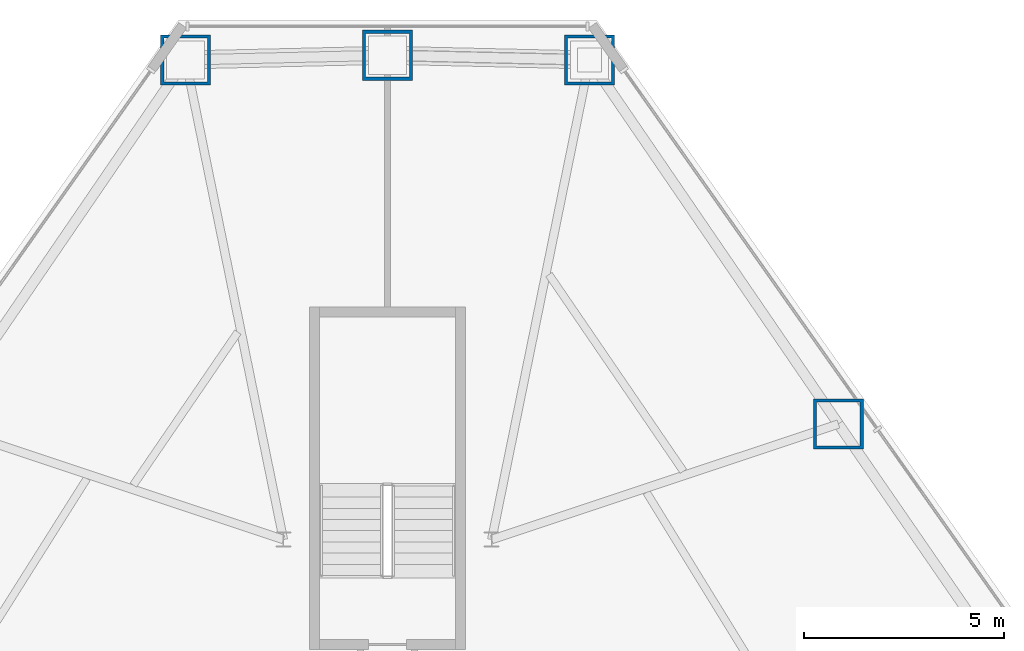
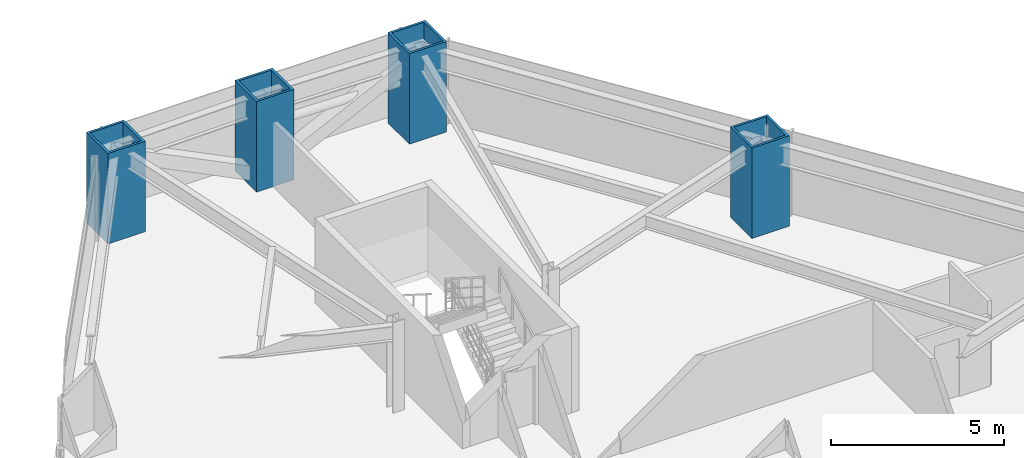
# One storey, part 3 of 12: 4 columns.
"""IFC4 building model written with IfcOpenShell, lengths in metres."""

import ifcopenshell
import ifcopenshell.guid

model = None  # the IFC model being written
_history = None  # IfcOwnerHistory: only IFC2X3 demands one
_inside = {}  # id of a spatial element -> (the spatial element, [elements in it])
_under = {}  # id of a project, library or spatial element -> (it, [spatial elements below it])
_declared = {}  # id of a project -> (the project, [libraries it declares])
_typed = {}  # id of a type object -> (the type object, [elements of that type])
_made_of = {}  # id of a material, layer set ... -> (it, [elements and type objects made of it])


def new_model(schema):
    """Start an empty IFC model of exactly this schema.

    Asked for "IFC4X3", IfcOpenShell would pick the latest addendum, in which some entities
    have other attributes; the version numbers below select the first issue.
    IFC2X3 requires an IfcOwnerHistory on every rooted entity: one is made here for all.
    """
    global model, _history
    if schema == "IFC4X3":
        model = ifcopenshell.file(schema_version=(4, 3, 0, 0))
    else:
        model = ifcopenshell.file(schema=schema)
    _inside.clear()
    _under.clear()
    _declared.clear()
    _typed.clear()
    _made_of.clear()
    _history = None
    if model.schema == "IFC2X3":
        org = make("IfcOrganization", Name="unknown")
        user = make(
            "IfcPersonAndOrganization",
            ThePerson=make("IfcPerson", FamilyName="unknown"),
            TheOrganization=org,
        )
        app = make(
            "IfcApplication",
            ApplicationDeveloper=org,
            Version="unknown",
            ApplicationFullName="unknown",
            ApplicationIdentifier="unknown",
        )
        _history = make(
            "IfcOwnerHistory",
            OwningUser=user,
            OwningApplication=app,
            ChangeAction="ADDED",
            CreationDate=0,
        )
    return model


def make(cls, **values):
    """One entity of the class cls with the attributes given. An attribute that is None is left unset."""
    return model.create_entity(
        cls, **{name: value for name, value in values.items() if value is not None}
    )


def rooted(cls, **values):
    """An entity with a GlobalId (a new one), such as an element, a storey or a relation."""
    return make(cls, GlobalId=ifcopenshell.guid.new(), OwnerHistory=_history, **values)


def si_unit(unit_type, name, prefix=None):
    """IfcSIUnit, for example si_unit("LENGTHUNIT", "METRE", prefix="MILLI")."""
    return make("IfcSIUnit", UnitType=unit_type, Prefix=prefix, Name=name)


def assignment(units):
    """IfcUnitAssignment: the units of a project."""
    return None if units is None else make("IfcUnitAssignment", Units=units)


def point(xyz):
    """IfcCartesianPoint."""
    return None if xyz is None else make("IfcCartesianPoint", Coordinates=xyz)


def direction(xyz):
    """IfcDirection."""
    return None if xyz is None else make("IfcDirection", DirectionRatios=xyz)


def frame(location, z_axis=None, x_axis=None):
    """IfcAxis2Placement3D, a coordinate frame: its origin and axes. An axis left out is left unset."""
    return make(
        "IfcAxis2Placement3D",
        Location=point(location),
        Axis=direction(z_axis),
        RefDirection=direction(x_axis),
    )


def frame_2d(location, x_axis=None):
    """IfcAxis2Placement2D, a coordinate frame in the plane: its origin and x axis."""
    return make(
        "IfcAxis2Placement2D", Location=point(location), RefDirection=direction(x_axis)
    )


def origin():
    """The frame at (0, 0, 0) with its axes left unset."""
    return frame((0.0, 0.0, 0.0))


def origin_2d():
    """The frame at (0, 0) in the plane with its x axis left unset."""
    return frame_2d((0.0, 0.0))


def place(relative_to, where):
    """IfcLocalPlacement: puts the frame where relative to a parent placement (None: the world)."""
    return make(
        "IfcLocalPlacement", PlacementRelTo=relative_to, RelativePlacement=where
    )


def context(
    kind, dimensions, precision=None, world=None, true_north=None, identifier=None
):
    """IfcGeometricRepresentationContext, for example the 3D "Model" context."""
    return make(
        "IfcGeometricRepresentationContext",
        ContextIdentifier=identifier,
        ContextType=kind,
        CoordinateSpaceDimension=dimensions,
        Precision=precision,
        WorldCoordinateSystem=world,
        TrueNorth=true_north,
    )


def subcontext(parent, identifier, kind, view, scale=None):
    """IfcGeometricRepresentationSubContext, for example "Body" below "Model"."""
    return make(
        "IfcGeometricRepresentationSubContext",
        ContextIdentifier=identifier,
        ContextType=kind,
        ParentContext=parent,
        TargetScale=scale,
        TargetView=view,
    )


def project(units=None, contexts=None):
    """IfcProject with its units and contexts."""
    return rooted(
        "IfcProject",
        Name="project",
        RepresentationContexts=contexts,
        UnitsInContext=assignment(units),
    )


def spatial(cls, under=None, at=None, **own):
    """A site, building, storey or space (cls), placed at a placement, below another one or the project."""
    s = rooted(cls, ObjectPlacement=at, **own)
    if under is not None:
        _under.setdefault(under.id(), (under, []))[1].append(s)
    return s


def profile(cls, at=None, kind="AREA", **sizes):
    """A parametric profile (cls). Its sizes go by their IFC names, for example OverallWidth=200.0."""
    return make(cls, ProfileType=kind, Position=at, **sizes)


def hollow_rectangle(**sizes):
    """IfcRectangleHollowProfileDef."""
    return profile("IfcRectangleHollowProfileDef", **sizes)


def extrude(swept, where, along, depth):
    """IfcExtrudedAreaSolid: the profile swept, set in the frame where, extruded along a direction by depth."""
    return make(
        "IfcExtrudedAreaSolid",
        SweptArea=swept,
        Position=where,
        ExtrudedDirection=direction(along),
        Depth=depth,
    )


def shape(context_of_items, identifier, shape_type, items):
    """IfcShapeRepresentation: the items that make up one representation, for example the "Body"."""
    return make(
        "IfcShapeRepresentation",
        ContextOfItems=context_of_items,
        RepresentationIdentifier=identifier,
        RepresentationType=shape_type,
        Items=items,
    )


def material(Name=None, Category=None):
    """IfcMaterial."""
    return make("IfcMaterial", Name=Name, Category=Category)


def material_profile(
    of_material, cross_section, Name=None, Category=None, Priority=None
):
    """IfcMaterialProfile: a cross section and its material."""
    return make(
        "IfcMaterialProfile",
        Name=Name,
        Material=of_material,
        Profile=cross_section,
        Priority=Priority,
        Category=Category,
    )


def profile_set(profiles, Name=None, composite=None):
    """IfcMaterialProfileSet."""
    return make(
        "IfcMaterialProfileSet",
        Name=Name,
        MaterialProfiles=profiles,
        CompositeProfile=composite,
    )


def made_of(thing, what):
    """Note that an element or type object is made of a material, layer set ...; save() writes the relation."""
    if what is not None:
        _made_of.setdefault(what.id(), (what, []))[1].append(thing)
    return thing


def type_object(cls, material=None, **own):
    """A type object (cls), such as IfcWallType, which elements share."""
    return made_of(rooted(cls, **own), material)


def element(
    cls,
    number,
    at=None,
    inside=None,
    cuts=None,
    type_object=None,
    material=None,
    context=None,
    identifier="Body",
    shape_type=None,
    held_by="IfcProductDefinitionShape",
    body=None,
    shapes=None,
    **own,
):
    """One element of the class cls, such as IfcWall. Its Tag is "e" and its number.

    at: its placement. inside: the storey or other place that contains it. cuts: it is an
    opening in that element (IfcRelVoidsElement). A single representation is given by context,
    identifier, shape_type and body (its items); several are given by shapes. held_by: the class
    of the entity that holds the representations. save() writes the other relations.
    """
    e = rooted(cls, Tag="e%d" % number, ObjectPlacement=at, **own)
    if body is not None:
        shapes = [shape(context, identifier, shape_type, body)]
    if shapes is not None:
        e.Representation = make(held_by, Representations=shapes)
    if inside is not None:
        _inside.setdefault(inside.id(), (inside, []))[1].append(e)
    if cuts is not None:
        rooted(
            "IfcRelVoidsElement", RelatingBuildingElement=cuts, RelatedOpeningElement=e
        )
    if type_object is not None:
        _typed.setdefault(type_object.id(), (type_object, []))[1].append(e)
    return made_of(e, material)


def aggregate(whole, parts):
    """IfcRelAggregates: a whole, such as a stair, and the parts it consists of."""
    return rooted("IfcRelAggregates", RelatingObject=whole, RelatedObjects=parts)


def save(model, path):
    """Write the relations noted so far, then the file.

    IfcRelAggregates (storeys below a building ...), IfcRelContainedInSpatialStructure (elements
    in a storey), IfcRelDefinesByType, IfcRelAssociatesMaterial and IfcRelDeclares: one each for
    every whole, place, type object, material and project.
    """
    for whole, parts in _under.values():
        aggregate(whole, parts)
    for where, things in _inside.values():
        rooted(
            "IfcRelContainedInSpatialStructure",
            RelatedElements=things,
            RelatingStructure=where,
        )
    for kind, things in _typed.values():
        rooted("IfcRelDefinesByType", RelatedObjects=things, RelatingType=kind)
    for what, things in _made_of.values():
        rooted("IfcRelAssociatesMaterial", RelatedObjects=things, RelatingMaterial=what)
    for by, libraries in _declared.values():
        rooted("IfcRelDeclares", RelatingContext=by, RelatedDefinitions=libraries)
    model.write(path)


model = new_model("IFC4")

# Units and contexts
model_context = context("Model", 3, precision=1e-05, world=origin(), true_north=direction((0.0, 1.0)))
body_context = subcontext(model_context, "Body", "Model", "MODEL_VIEW")
ifc_project = project(units=[si_unit("LENGTHUNIT", "METRE"), si_unit("AREAUNIT", "SQUARE_METRE"), si_unit("VOLUMEUNIT", "CUBIC_METRE"), si_unit("PLANEANGLEUNIT", "RADIAN"), si_unit("MASSUNIT", "GRAM", prefix="KILO")], contexts=[model_context])

# Site, building, storey
site_placement = place(None, origin())
site = spatial("IfcSite", under=ifc_project, at=site_placement, CompositionType="ELEMENT")
building_placement = place(site_placement, origin())
building = spatial("IfcBuilding", under=site, at=building_placement, Name="Varakhsha Concourse Tower", CompositionType="ELEMENT")
storey_placement = place(building_placement, frame((0.0, 0.0, 36.800048828125)))
storey = spatial("IfcBuildingStorey", under=building, at=storey_placement, Name="L09", CompositionType="ELEMENT", Elevation=36.800048828125)

# Columns
ifc_material = material(Name="Structural Steel ASTM A572 Grade 50", Category="steel")
ifc_material_profile = material_profile(ifc_material, hollow_rectangle(XDim=1.25, YDim=1.25, WallThickness=0.080078125, at=origin_2d()), Name="BOX 1250x1250x80")
ifc_profile_set = profile_set([ifc_material_profile], Name="Structural Steel ASTM A572 Grade 50")
column_type = type_object("IfcColumnType", Name="CL-TUBE-1250", PredefinedType="COLUMN", material=ifc_profile_set)
for number, where, z_axis, x_axis, name in (
    (1, (45.040771484375, 53.171630859375, 0.0), (0.0, 0.0, 1.0), (1.0, 0.0, 0.0), "L09 Framed-Tube Column TC01"),
    (2, (40.0, 53.28857421875, 0.0), (0.0, 0.0, 1.0), (1.0, 0.0, 0.0), "L09 Framed-Tube Column TC02"),
    (3, (34.959228515625, 53.171630859375, 0.0), (0.0, 0.0, 1.0), (1.0, 0.0, 0.0), "L09 Framed-Tube Column TC03"),
    (4, (51.25390625, 44.084228515625, 0.0), (0.0, 0.0, 1.0), (1.0, 0.0, 0.0), "L09 Framed-Tube Column TC18"),
):
    element("IfcColumn", number, at=place(storey_placement, frame(where, z_axis=z_axis, x_axis=x_axis)), inside=storey, type_object=column_type, Name=name, PredefinedType="COLUMN", context=body_context, shape_type="SweptSolid", body=[
        extrude(hollow_rectangle(XDim=1.25, YDim=1.25, WallThickness=0.080078125, at=origin_2d()), origin(), (0.0, 0.0, 1.0), 3.199951171875),
    ])

save(model, "model.ifc")
